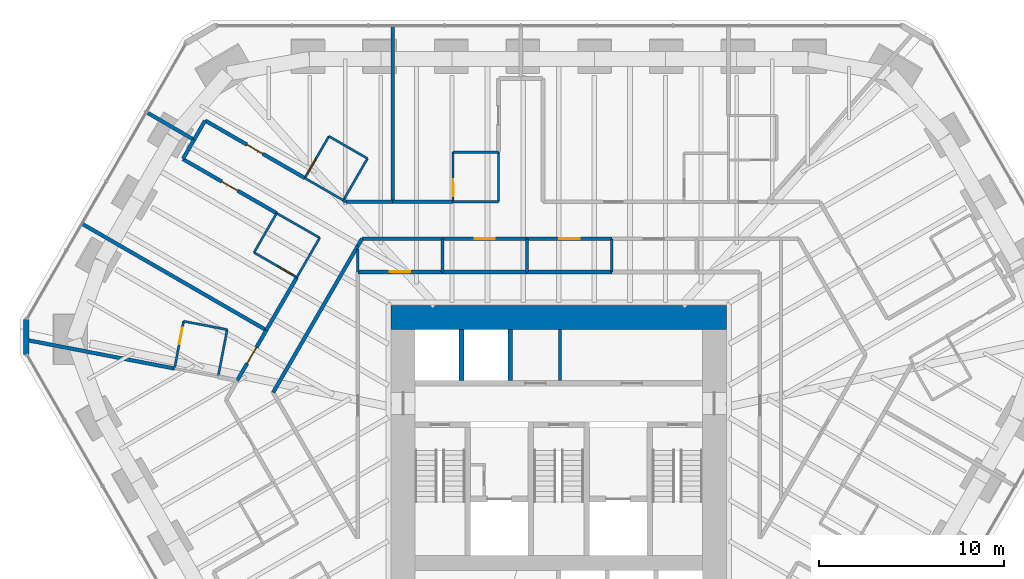
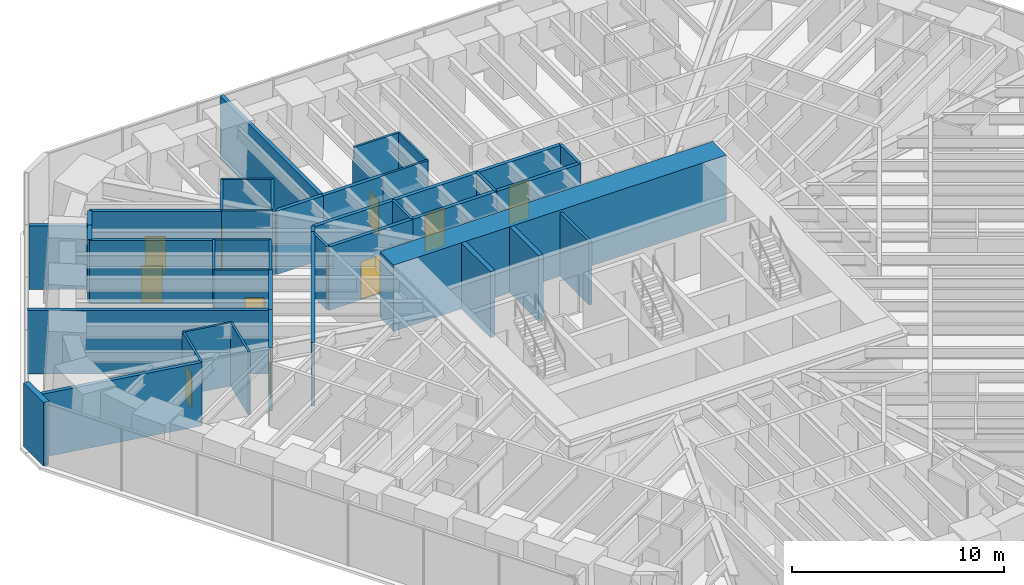
# One storey, part 14 of 18: 45 walls, 10 doors, 10 openings.
"""IFC4 building model written with IfcOpenShell, lengths in metres."""

from ifc_helpers import new_model, si_unit, direction, frame, frame_2d, origin, place, context, subcontext, project, spatial, rectangle, extrude, material, layer, layer_set, type_object, element, fill, save


model = new_model("IFC4")

# Units and contexts
model_context = context("Model", 3, precision=1e-05, world=origin(), true_north=direction((0.0, 1.0)))
body_context = subcontext(model_context, "Body", "Model", "MODEL_VIEW")
ifc_project = project(units=[si_unit("LENGTHUNIT", "METRE"), si_unit("AREAUNIT", "SQUARE_METRE"), si_unit("VOLUMEUNIT", "CUBIC_METRE"), si_unit("PLANEANGLEUNIT", "RADIAN"), si_unit("MASSUNIT", "GRAM", prefix="KILO")], contexts=[model_context])

# Site, building, storey
site_placement = place(None, origin())
site = spatial("IfcSite", under=ifc_project, at=site_placement, CompositionType="ELEMENT")
building_placement = place(site_placement, origin())
building = spatial("IfcBuilding", under=site, at=building_placement, Name="Sandreach Pilgrim Tower", CompositionType="ELEMENT")
storey_placement = place(building_placement, frame((0.0, 0.0, 157.60009765625)))
storey = spatial("IfcBuildingStorey", under=building, at=storey_placement, Name="L39", CompositionType="ELEMENT", Elevation=157.60009765625)

# Walls
ifc_material_1 = material(Name="Gypsum board on steel studs", Category="steel")
ifc_layer_1 = layer(ifc_material_1, 0.14990234375)
ifc_layer_set_1 = layer_set([ifc_layer_1], Name="Back of house wall 150")
wall_type_1 = type_object("IfcWallType", Name="Back of house wall 150", PredefinedType="PARTITIONING", material=ifc_layer_set_1)
wall_1_placement = place(storey_placement, frame((-10.840087890625, 10.449951171875, 0.0), z_axis=(0.0, 0.0, 1.0), x_axis=(0.0, -1.0, 0.0)))
element("IfcWall", 1, at=wall_1_placement, inside=storey, type_object=wall_type_1, Name="Back of house wall L39-043", PredefinedType="PARTITIONING", context=body_context, shape_type="SweptSolid", body=[
    extrude(rectangle(XDim=1.25, YDim=0.14990234375, at=frame_2d((0.625, 0.0))), origin(), (0.0, 0.0, 1.0), 3.639892578125),
])
for number, where, z_axis, x_axis, name in (
    (2, (-6.27001953125, 10.989990234375, 0.0), (0.0, 0.0, 1.0), (0.0, -1.0, 0.0), "Back of house wall L39-054"),
    (3, (-1.7099609375, 10.989990234375, 0.0), (0.0, 0.0, 1.0), (0.0, -1.0, 0.0), "Back of house wall L39-075"),
    (4, (2.860107421875, 10.989990234375, 0.0), (0.0, 0.0, 1.0), (0.0, -1.0, 0.0), "Back of house wall L39-085"),
):
    element("IfcWall", number, at=place(storey_placement, frame(where, z_axis=z_axis, x_axis=x_axis)), inside=storey, type_object=wall_type_1, Name=name, PredefinedType="PARTITIONING", context=body_context, shape_type="SweptSolid", body=[
        extrude(rectangle(XDim=1.7900390625, YDim=0.14990234375, at=frame_2d((0.89501953125, 0.0))), origin(), (0.0, 0.0, 1.0), 3.639892578125),
    ])
wall_2_placement = place(storey_placement, frame((0.0625, 3.35009765625, 0.0), z_axis=(0.0, 0.0, 1.0), x_axis=(0.0, 1.0, 0.0)))
element("IfcWall", 5, at=wall_2_placement, inside=storey, type_object=wall_type_1, Name="Core room partition L39 1", PredefinedType="PARTITIONING", context=body_context, shape_type="SweptSolid", body=[
    extrude(rectangle(XDim=2.75, YDim=0.14990234375, at=frame_2d((1.375, 0.0))), origin(), (0.0, 0.0, 1.0), 3.639892578125),
])

# Wall, opening, door
ifc_material_2 = material(Name="Moisture-resistant gypsum board on steel studs", Category="steel")
ifc_layer_2 = layer(ifc_material_2, 0.1201171875)
ifc_layer_set_2 = layer_set([ifc_layer_2], Name="Bathroom partition 120")
wall_type_2 = type_object("IfcWallType", Name="Bathroom partition 120", PredefinedType="PARTITIONING", material=ifc_layer_set_2)
wall_3_placement = place(storey_placement, frame((-20.239990234375, 6.5400390625, 0.0), z_axis=(0.0, 0.0, 1.0), x_axis=(-0.188697442844, -0.982035271802, 0.0)))
wall_3 = element("IfcWall", 6, at=wall_3_placement, inside=storey, type_object=wall_type_2, Name="Bathroom partition L39-006", PredefinedType="PARTITIONING", context=body_context, shape_type="SweptSolid", body=[
    extrude(rectangle(XDim=2.5966796875, YDim=0.1201171875, at=frame_2d((1.29833984375, 0.0))), origin(), (0.0, 0.0, 1.0), 3.639892578125),
])
opening_1_placement = place(wall_3_placement, frame((0.35009765625, 0.0, 0.0)))
opening_1 = element("IfcOpeningElement", 7, at=opening_1_placement, cuts=wall_3, Name="Opening D09-14B", PredefinedType="OPENING", context=body_context, shape_type="SweptSolid", body=[
    extrude(rectangle(XDim=0.89990234375, YDim=2.030029296875, at=frame_2d((0.449951171875, 1.01513671875))), frame((0.0, 0.06005859375, 0.0), z_axis=(0.0, -1.0, 0.0), x_axis=(1.0, 0.0, 0.0)), (0.0, 0.0, 1.0), 0.1201171875),
])
ifc_material_3 = material(Name="Timber door, steel frame", Category="steel")
door_type_1 = type_object("IfcDoorType", Name="Bathroom door", OperationType="SINGLE_SWING_LEFT", PredefinedType="DOOR", material=ifc_material_3)
door_1_placement = place(opening_1_placement, origin())
door_1 = element("IfcDoor", 8, at=door_1_placement, inside=storey, type_object=door_type_1, Name="Door 3914B", OperationType="SINGLE_SWING_LEFT", OverallHeight=2.030029296875, OverallWidth=0.89990234375, PredefinedType="DOOR", context=body_context, shape_type="SweptSolid", body=[
    extrude(rectangle(XDim=0.89990234375, YDim=2.030029296875, at=frame_2d((0.449951171875, 1.01513671875))), frame((0.0, 0.02490234375, 0.0), z_axis=(0.0, -1.0, 0.0), x_axis=(1.0, 0.0, 0.0)), (0.0, 0.0, 1.0), 0.050048828125),
])
fill(opening_1, door_1)

# Walls
wall_4_placement = place(storey_placement, frame((-18.3798828125, 3.5400390625, 0.0), z_axis=(0.0, 0.0, 1.0), x_axis=(0.188697442844, 0.982035271802, 0.0)))
element("IfcWall", 9, at=wall_4_placement, inside=storey, type_object=wall_type_2, Name="Bathroom partition L39-014", PredefinedType="PARTITIONING", context=body_context, shape_type="SweptSolid", body=[
    extrude(rectangle(XDim=2.5966796875, YDim=0.1201171875, at=frame_2d((1.29833984375, 0.0))), origin(), (0.0, 0.0, 1.0), 3.639892578125),
])
wall_5_placement = place(storey_placement, frame((-17.889892578125, 6.090087890625, 0.0), z_axis=(0.0, 0.0, 1.0), x_axis=(-0.982160404505, 0.18804504732, 0.0)))
element("IfcWall", 10, at=wall_5_placement, inside=storey, type_object=wall_type_2, Name="Bathroom partition L39-018", PredefinedType="PARTITIONING", context=body_context, shape_type="SweptSolid", body=[
    extrude(rectangle(XDim=2.392822265625, YDim=0.1201171875, at=frame_2d((1.1962890625, 0.0))), origin(), (0.0, 0.0, 1.0), 3.639892578125),
])

# Wall, opening, door
wall_6_placement = place(storey_placement, frame((-16.43994140625, 10.25, 0.0), z_axis=(0.0, 0.0, 1.0), x_axis=(0.864966903181, -0.501828911485, 0.0)))
wall_6 = element("IfcWall", 11, at=wall_6_placement, inside=storey, type_object=wall_type_2, Name="Bathroom partition L39-022", PredefinedType="PARTITIONING", context=body_context, shape_type="SweptSolid", body=[
    extrude(rectangle(XDim=2.67041015625, YDim=0.1201171875, at=frame_2d((1.335205078125, 0.0))), origin(), (0.0, 0.0, 1.0), 3.639892578125),
])
opening_2_placement = place(wall_6_placement, frame((1.470458984375, 0.0, 0.0)))
opening_2 = element("IfcOpeningElement", 12, at=opening_2_placement, cuts=wall_6, Name="Opening D09-15B", PredefinedType="OPENING", context=body_context, shape_type="SweptSolid", body=[
    extrude(rectangle(XDim=0.89990234375, YDim=2.030029296875, at=frame_2d((0.449951171875, 1.01513671875))), frame((0.0, 0.06005859375, 0.0), z_axis=(0.0, -1.0, 0.0), x_axis=(1.0, 0.0, 0.0)), (0.0, 0.0, 1.0), 0.1201171875),
])
door_2_placement = place(opening_2_placement, origin())
door_2 = element("IfcDoor", 13, at=door_2_placement, inside=storey, type_object=door_type_1, Name="Door 3915B", OperationType="SINGLE_SWING_RIGHT", OverallHeight=2.030029296875, OverallWidth=0.89990234375, PredefinedType="DOOR", context=body_context, shape_type="SweptSolid", body=[
    extrude(rectangle(XDim=0.89990234375, YDim=2.030029296875, at=frame_2d((0.449951171875, 1.01513671875))), frame((0.0, 0.02490234375, 0.0), z_axis=(0.0, -1.0, 0.0), x_axis=(1.0, 0.0, 0.0)), (0.0, 0.0, 1.0), 0.050048828125),
])
fill(opening_2, door_2)

# Walls
wall_7_placement = place(storey_placement, frame((-15.219970703125, 12.3701171875, 0.0), z_axis=(0.0, 0.0, 1.0), x_axis=(-0.498748634132, -0.866746675766, 0.0)))
element("IfcWall", 14, at=wall_7_placement, inside=storey, type_object=wall_type_2, Name="Bathroom partition L39-028", PredefinedType="PARTITIONING", context=body_context, shape_type="SweptSolid", body=[
    extrude(rectangle(XDim=2.446044921875, YDim=0.1201171875, at=frame_2d((1.22314453125, 0.0))), origin(), (0.0, 0.0, 1.0), 3.639892578125),
])
wall_8_placement = place(storey_placement, frame((-15.219970703125, 12.3701171875, 0.0), z_axis=(0.0, 0.0, 1.0), x_axis=(0.867545659855, -0.497357545501, 0.0)))
element("IfcWall", 15, at=wall_8_placement, inside=storey, type_object=wall_type_2, Name="Bathroom partition L39-029", PredefinedType="PARTITIONING", context=body_context, shape_type="SweptSolid", body=[
    extrude(rectangle(XDim=2.67431640625, YDim=0.1201171875, at=frame_2d((1.337158203125, 0.0))), origin(), (0.0, 0.0, 1.0), 3.639892578125),
])
wall_9_placement = place(storey_placement, frame((-14.1298828125, 8.909912109375, 0.0), z_axis=(0.0, 0.0, 1.0), x_axis=(0.500046071023, 0.865998803033, 0.0)))
element("IfcWall", 16, at=wall_9_placement, inside=storey, type_object=wall_type_2, Name="Bathroom partition L39-033", PredefinedType="PARTITIONING", context=body_context, shape_type="SweptSolid", body=[
    extrude(rectangle(XDim=2.459716796875, YDim=0.1201171875, at=frame_2d((1.22998046875, 0.0))), origin(), (0.0, 0.0, 1.0), 3.639892578125),
])
wall_10_placement = place(storey_placement, frame((-13.7021484375, 14.2666015625, 0.0), z_axis=(0.0, 0.0, 1.0), x_axis=(0.866114496623, -0.499845654917, 0.0)))
element("IfcWall", 17, at=wall_10_placement, inside=storey, type_object=wall_type_2, Name="Bathroom partition L39-034", PredefinedType="PARTITIONING", context=body_context, shape_type="SweptSolid", body=[
    extrude(rectangle(XDim=2.401611328125, YDim=0.1201171875, at=frame_2d((1.20068359375, 0.0))), origin(), (0.0, 0.0, 1.0), 3.639892578125),
])

# Wall, opening, door
wall_11_placement = place(storey_placement, frame((-12.39990234375, 16.52001953125, 0.0), z_axis=(0.0, 0.0, 1.0), x_axis=(-0.500291685314, -0.865856933682, 0.0)))
wall_11 = element("IfcWall", 18, at=wall_11_placement, inside=storey, type_object=wall_type_2, Name="Bathroom partition L39-037", PredefinedType="PARTITIONING", context=body_context, shape_type="SweptSolid", body=[
    extrude(rectangle(XDim=2.5986328125, YDim=0.1201171875, at=frame_2d((1.29931640625, 0.0))), origin(), (0.0, 0.0, 1.0), 3.639892578125),
])
opening_3_placement = place(wall_11_placement, frame((1.398681640625, 0.0, 0.0)))
opening_3 = element("IfcOpeningElement", 19, at=opening_3_placement, cuts=wall_11, Name="Opening D09-01B", PredefinedType="OPENING", context=body_context, shape_type="SweptSolid", body=[
    extrude(rectangle(XDim=0.89990234375, YDim=2.030029296875, at=frame_2d((0.449951171875, 1.01513671875))), frame((0.0, 0.06005859375, 0.0), z_axis=(0.0, -1.0, 0.0), x_axis=(1.0, 0.0, 0.0)), (0.0, 0.0, 1.0), 0.1201171875),
])
door_3_placement = place(opening_3_placement, origin())
door_3 = element("IfcDoor", 20, at=door_3_placement, inside=storey, type_object=door_type_1, Name="Door 3901B", OperationType="SINGLE_SWING_RIGHT", OverallHeight=2.030029296875, OverallWidth=0.89990234375, PredefinedType="DOOR", context=body_context, shape_type="SweptSolid", body=[
    extrude(rectangle(XDim=0.89990234375, YDim=2.030029296875, at=frame_2d((0.449951171875, 1.01513671875))), frame((0.0, 0.02490234375, 0.0), z_axis=(0.0, -1.0, 0.0), x_axis=(1.0, 0.0, 0.0)), (0.0, 0.0, 1.0), 0.050048828125),
])
fill(opening_3, door_3)

# Walls
wall_12_placement = place(storey_placement, frame((-11.6201171875, 13.070068359375, 0.0), z_axis=(0.0, 0.0, 1.0), x_axis=(0.500291685314, 0.865856933682, 0.0)))
element("IfcWall", 21, at=wall_12_placement, inside=storey, type_object=wall_type_2, Name="Bathroom partition L39-040", PredefinedType="PARTITIONING", context=body_context, shape_type="SweptSolid", body=[
    extrude(rectangle(XDim=2.5986328125, YDim=0.1201171875, at=frame_2d((1.29931640625, 0.0))), origin(), (0.0, 0.0, 1.0), 3.639892578125),
])
wall_13_placement = place(storey_placement, frame((-10.320068359375, 15.320068359375, 0.0), z_axis=(0.0, 0.0, 1.0), x_axis=(-0.866177122335, 0.499737123639, 0.0)))
element("IfcWall", 22, at=wall_13_placement, inside=storey, type_object=wall_type_2, Name="Bathroom partition L39-046", PredefinedType="PARTITIONING", context=body_context, shape_type="SweptSolid", body=[
    extrude(rectangle(XDim=2.401123046875, YDim=0.1201171875, at=frame_2d((1.20068359375, 0.0))), origin(), (0.0, 0.0, 1.0), 3.639892578125),
])

# Wall, opening, door
wall_14_placement = place(storey_placement, frame((-5.7099609375, 15.659912109375, 0.0), z_axis=(0.0, 0.0, 1.0), x_axis=(0.003749059241, -0.999992972253, 0.0)))
wall_14 = element("IfcWall", 23, at=wall_14_placement, inside=storey, type_object=wall_type_2, Name="Bathroom partition L39-057", PredefinedType="PARTITIONING", context=body_context, shape_type="SweptSolid", body=[
    extrude(rectangle(XDim=2.669921875, YDim=0.1201171875, at=frame_2d((1.3349609375, 0.0))), origin(), (0.0, 0.0, 1.0), 3.022705078125),
])
opening_4_placement = place(wall_14_placement, frame((1.469970703125, 0.0, 0.0)))
opening_4 = element("IfcOpeningElement", 24, at=opening_4_placement, cuts=wall_14, Name="Opening D09-02B", PredefinedType="OPENING", context=body_context, shape_type="SweptSolid", body=[
    extrude(rectangle(XDim=0.89990234375, YDim=2.030029296875, at=frame_2d((0.449951171875, 1.01513671875))), frame((0.0, 0.06005859375, 0.0), z_axis=(0.0, -1.0, 0.0), x_axis=(1.0, 0.0, 0.0)), (0.0, 0.0, 1.0), 0.1201171875),
])
door_4_placement = place(opening_4_placement, origin())
door_4 = element("IfcDoor", 25, at=door_4_placement, inside=storey, type_object=door_type_1, Name="Door 3902B", OperationType="SINGLE_SWING_RIGHT", OverallHeight=2.030029296875, OverallWidth=0.89990234375, PredefinedType="DOOR", context=body_context, shape_type="SweptSolid", body=[
    extrude(rectangle(XDim=0.89990234375, YDim=2.030029296875, at=frame_2d((0.449951171875, 1.01513671875))), frame((0.0, 0.02490234375, 0.0), z_axis=(0.0, -1.0, 0.0), x_axis=(1.0, 0.0, 0.0)), (0.0, 0.0, 1.0), 0.050048828125),
])
fill(opening_4, door_4)

# Walls
wall_15_placement = place(storey_placement, frame((-3.25, 12.989990234375, 0.0), z_axis=(0.0, 0.0, 1.0), x_axis=(-1.0, 0.0, 0.0)))
element("IfcWall", 26, at=wall_15_placement, inside=storey, type_object=wall_type_2, Name="Bathroom partition L39-066", PredefinedType="PARTITIONING", context=body_context, shape_type="SweptSolid", body=[
    extrude(rectangle(XDim=2.449951171875, YDim=0.1201171875, at=frame_2d((1.22509765625, 0.0))), origin(), (0.0, 0.0, 1.0), 3.639892578125),
])
wall_16_placement = place(storey_placement, frame((-3.25, 15.659912109375, 0.0), z_axis=(0.0, 0.0, 1.0), x_axis=(-1.0, 0.0, 0.0)))
element("IfcWall", 27, at=wall_16_placement, inside=storey, type_object=wall_type_2, Name="Bathroom partition L39-067", PredefinedType="PARTITIONING", context=body_context, shape_type="SweptSolid", body=[
    extrude(rectangle(XDim=2.4599609375, YDim=0.1201171875, at=frame_2d((1.22998046875, 0.0))), origin(), (0.0, 0.0, 1.0), 3.639892578125),
])
wall_17_placement = place(storey_placement, frame((-3.25, 15.659912109375, 0.0), z_axis=(0.0, 0.0, 1.0), x_axis=(0.0, -1.0, 0.0)))
element("IfcWall", 28, at=wall_17_placement, inside=storey, type_object=wall_type_2, Name="Bathroom partition L39-068", PredefinedType="PARTITIONING", context=body_context, shape_type="SweptSolid", body=[
    extrude(rectangle(XDim=2.669921875, YDim=0.1201171875, at=frame_2d((1.3349609375, 0.0))), origin(), (0.0, 0.0, 1.0), 3.639892578125),
])
ifc_material_4 = material(Name="Concrete 10000 psi", Category="concrete")
ifc_layer_3 = layer(ifc_material_4, 1.300048828125)
ifc_layer_set_3 = layer_set([ifc_layer_3], Name="Core wall 1300")
wall_type_3 = type_object("IfcWallType", Name="Core wall 1300", PredefinedType="SHEAR", material=ifc_layer_set_3)
wall_18_placement = place(storey_placement, frame((-9.050048828125, 6.75, 0.0), z_axis=(0.0, 0.0, 1.0), x_axis=(1.0, 0.0, 0.0)))
element("IfcWall", 29, at=wall_18_placement, inside=storey, type_object=wall_type_3, Name="Core wall N L39", PredefinedType="SHEAR", context=body_context, shape_type="SweptSolid", body=[
    extrude(rectangle(XDim=18.10009765625, YDim=1.300048828125, at=frame_2d((9.050048828125, 0.0))), origin(), (0.0, 0.0, 1.0), 3.7998046875),
])

# Wall, opening, door
ifc_material_5 = material(Name="Gypsum board on steel studs, two layers each side", Category="steel")
ifc_layer_4 = layer(ifc_material_5, 0.199951171875)
ifc_layer_set_4 = layer_set([ifc_layer_4], Name="Corridor wall 200")
wall_type_4 = type_object("IfcWallType", Name="Corridor wall 200", PredefinedType="PARTITIONING", material=ifc_layer_set_4)
wall_19_placement = place(storey_placement, frame((-20.280029296875, 15.2900390625, 0.0), z_axis=(0.0, 0.0, 1.0), x_axis=(0.866118790123, -0.499838215221, 0.0)))
wall_19 = element("IfcWall", 30, at=wall_19_placement, inside=storey, type_object=wall_type_4, Name="Corridor wall L39-005", PredefinedType="PARTITIONING", context=body_context, shape_type="SweptSolid", body=[
    extrude(rectangle(XDim=5.84228515625, YDim=0.199951171875, at=frame_2d((2.921142578125, 0.0))), origin(), (0.0, 0.0, 1.0), 3.639892578125),
])
opening_5_placement = place(wall_19_placement, frame((2.4208984375, 0.0, 0.0)))
opening_5 = element("IfcOpeningElement", 31, at=opening_5_placement, cuts=wall_19, Name="Opening D10-15", PredefinedType="OPENING", context=body_context, shape_type="SweptSolid", body=[
    extrude(rectangle(XDim=1.0, YDim=2.1298828125, at=frame_2d((0.5, 1.06494140625))), frame((0.0, 0.10009765625, 0.0), z_axis=(0.0, -1.0, 0.0), x_axis=(1.0, 0.0, 0.0)), (0.0, 0.0, 1.0), 0.199951171875),
])
ifc_material_6 = material(Name="Steel door and frame", Category="steel")
door_type_2 = type_object("IfcDoorType", Name="Guest room entry door", OperationType="SINGLE_SWING_LEFT", PredefinedType="DOOR", material=ifc_material_6)
door_5_placement = place(opening_5_placement, origin())
door_5 = element("IfcDoor", 32, at=door_5_placement, inside=storey, type_object=door_type_2, Name="Door 3915", OperationType="SINGLE_SWING_LEFT", OverallHeight=2.1298828125, OverallWidth=1.0, PredefinedType="DOOR", context=body_context, shape_type="SweptSolid", body=[
    extrude(rectangle(XDim=1.0, YDim=2.1298828125, at=frame_2d((0.5, 1.06494140625))), frame((0.0, 0.02490234375, 0.0), z_axis=(0.0, -1.0, 0.0), x_axis=(1.0, 0.0, 0.0)), (0.0, 0.0, 1.0), 0.050048828125),
])
fill(opening_5, door_5)

# Walls
wall_20_placement = place(storey_placement, frame((-19.679931640625, 16.330078125, 0.0), z_axis=(0.0, 0.0, 1.0), x_axis=(-0.499704629046, -0.866195869137, 0.0)))
element("IfcWall", 33, at=wall_20_placement, inside=storey, type_object=wall_type_4, Name="Corridor wall L39-008", PredefinedType="PARTITIONING", context=body_context, shape_type="SweptSolid", body=[
    extrude(rectangle(XDim=1.185791015625, YDim=0.199951171875, at=frame_2d((0.5927734375, 0.0))), origin(), (0.0, 0.0, 1.0), 3.639892578125),
])
wall_21_placement = place(storey_placement, frame((-19.08740234375, 17.35693359375, 0.0), z_axis=(0.0, 0.0, 1.0), x_axis=(-0.499793761865, -0.866144442689, 0.0)))
element("IfcWall", 34, at=wall_21_placement, inside=storey, type_object=wall_type_4, Name="Corridor wall L39-009", PredefinedType="PARTITIONING", context=body_context, shape_type="SweptSolid", body=[
    extrude(rectangle(XDim=1.185546875, YDim=0.199951171875, at=frame_2d((0.5927734375, 0.0))), origin(), (0.0, 0.0, 1.0), 3.639892578125),
])

# Wall, opening, door
wall_22_placement = place(storey_placement, frame((-19.080078125, 17.3701171875, 0.0), z_axis=(0.0, 0.0, 1.0), x_axis=(0.866125357092, -0.499826835816, 0.0)))
wall_22 = element("IfcWall", 35, at=wall_22_placement, inside=storey, type_object=wall_type_4, Name="Corridor wall L39-010", PredefinedType="PARTITIONING", context=body_context, shape_type="SweptSolid", body=[
    extrude(rectangle(XDim=6.209228515625, YDim=0.199951171875, at=frame_2d((3.1044921875, 0.0))), origin(), (0.0, 0.0, 1.0), 3.639892578125),
])
opening_6_placement = place(wall_22_placement, frame((2.6044921875, 0.0, 0.0)))
opening_6 = element("IfcOpeningElement", 36, at=opening_6_placement, cuts=wall_22, Name="Opening D10-01", PredefinedType="OPENING", context=body_context, shape_type="SweptSolid", body=[
    extrude(rectangle(XDim=1.0, YDim=2.1298828125, at=frame_2d((0.5, 1.06494140625))), frame((0.0, 0.10009765625, 0.0), z_axis=(0.0, -1.0, 0.0), x_axis=(1.0, 0.0, 0.0)), (0.0, 0.0, 1.0), 0.199951171875),
])
door_6_placement = place(opening_6_placement, origin())
door_6 = element("IfcDoor", 37, at=door_6_placement, inside=storey, type_object=door_type_2, Name="Door 3901", OperationType="SINGLE_SWING_LEFT", OverallHeight=2.1298828125, OverallWidth=1.0, PredefinedType="DOOR", context=body_context, shape_type="SweptSolid", body=[
    extrude(rectangle(XDim=1.0, YDim=2.1298828125, at=frame_2d((0.5, 1.06494140625))), frame((0.0, 0.02490234375, 0.0), z_axis=(0.0, -1.0, 0.0), x_axis=(1.0, 0.0, 0.0)), (0.0, 0.0, 1.0), 0.050048828125),
])
fill(opening_6, door_6)

wall_23_placement = place(storey_placement, frame((-17.3486328125, 3.33935546875, 0.0), z_axis=(0.0, 0.0, 1.0), x_axis=(0.500803353914, 0.865561090108, 0.0)))
wall_23 = element("IfcWall", 38, at=wall_23_placement, inside=storey, type_object=wall_type_4, Name="Corridor wall L39-020", PredefinedType="PARTITIONING", context=body_context, shape_type="SweptSolid", body=[
    extrude(rectangle(XDim=3.140380859375, YDim=0.199951171875, at=frame_2d((1.5703125, 0.0))), origin(), (0.0, 0.0, 1.0), 3.639892578125),
])
opening_7_placement = place(wall_23_placement, frame((1.0703125, 0.0, 0.0)))
opening_7 = element("IfcOpeningElement", 39, at=opening_7_placement, cuts=wall_23, Name="Opening D10-14", PredefinedType="OPENING", context=body_context, shape_type="SweptSolid", body=[
    extrude(rectangle(XDim=1.0, YDim=2.1298828125, at=frame_2d((0.5, 1.06494140625))), frame((0.0, 0.10009765625, 0.0), z_axis=(0.0, -1.0, 0.0), x_axis=(1.0, 0.0, 0.0)), (0.0, 0.0, 1.0), 0.199951171875),
])
door_7_placement = place(opening_7_placement, origin())
door_7 = element("IfcDoor", 40, at=door_7_placement, inside=storey, type_object=door_type_2, Name="Door 3914", OperationType="SINGLE_SWING_LEFT", OverallHeight=2.1298828125, OverallWidth=1.0, PredefinedType="DOOR", context=body_context, shape_type="SweptSolid", body=[
    extrude(rectangle(XDim=1.0, YDim=2.1298828125, at=frame_2d((0.5, 1.06494140625))), frame((0.0, 0.02490234375, 0.0), z_axis=(0.0, -1.0, 0.0), x_axis=(1.0, 0.0, 0.0)), (0.0, 0.0, 1.0), 0.050048828125),
])
fill(opening_7, door_7)

# Walls
wall_24_placement = place(storey_placement, frame((-15.780029296875, 6.06005859375, 0.0), z_axis=(0.0, 0.0, 1.0), x_axis=(0.501088872721, 0.865395829453, 0.0)))
element("IfcWall", 41, at=wall_24_placement, inside=storey, type_object=wall_type_4, Name="Corridor wall L39-024", PredefinedType="PARTITIONING", context=body_context, shape_type="SweptSolid", body=[
    extrude(rectangle(XDim=3.293212890625, YDim=0.199951171875, at=frame_2d((1.646484375, 0.0))), origin(), (0.0, 0.0, 1.0), 3.639892578125),
])
wall_25_placement = place(storey_placement, frame((-15.409912109375, 2.699951171875, 0.0), z_axis=(0.0, 0.0, 1.0), x_axis=(0.500237524763, 0.865888225361, 0.0)))
element("IfcWall", 42, at=wall_25_placement, inside=storey, type_object=wall_type_4, Name="Corridor wall L39-025", PredefinedType="PARTITIONING", context=body_context, shape_type="SweptSolid", body=[
    extrude(rectangle(XDim=9.13525390625, YDim=0.199951171875, at=frame_2d((4.567626953125, 0.0))), origin(), (0.0, 0.0, 1.0), 3.639892578125),
])
wall_26_placement = place(storey_placement, frame((-11.6220703125, 13.066162109375, 0.0), z_axis=(0.0, 0.0, 1.0), x_axis=(0.866265547609, -0.499583827826, 0.0)))
element("IfcWall", 43, at=wall_26_placement, inside=storey, type_object=wall_type_4, Name="Corridor wall L39-039", PredefinedType="PARTITIONING", context=body_context, shape_type="SweptSolid", body=[
    extrude(rectangle(XDim=0.152587890625, YDim=0.199951171875, at=frame_2d((0.076171875, 0.0))), origin(), (0.0, 0.0, 1.0), 3.639892578125),
])
wall_27_placement = place(storey_placement, frame((-10.840087890625, 10.610107421875, 0.0), z_axis=(0.0, 0.0, 1.0), x_axis=(0.501518373175, 0.865146994081, 0.0)))
element("IfcWall", 44, at=wall_27_placement, inside=storey, type_object=wall_type_4, Name="Corridor wall L39-044", PredefinedType="PARTITIONING", context=body_context, shape_type="SweptSolid", body=[
    extrude(rectangle(XDim=0.439208984375, YDim=0.199951171875, at=frame_2d((0.2197265625, 0.0))), origin(), (0.0, 0.0, 1.0), 3.639892578125),
])
wall_28_placement = place(storey_placement, frame((-10.6201171875, 10.989990234375, 0.0), z_axis=(0.0, 0.0, 1.0), x_axis=(1.0, 0.0, 0.0)))
element("IfcWall", 45, at=wall_28_placement, inside=storey, type_object=wall_type_4, Name="Corridor wall L39-045", PredefinedType="PARTITIONING", context=body_context, shape_type="SweptSolid", body=[
    extrude(rectangle(XDim=4.35009765625, YDim=0.199951171875, at=frame_2d((2.175048828125, 0.0))), origin(), (0.0, 0.0, 1.0), 3.639892578125),
])
wall_29_placement = place(storey_placement, frame((-8.9599609375, 12.989990234375, 0.0), z_axis=(0.0, 0.0, 1.0), x_axis=(-1.0, 0.0, 0.0)))
element("IfcWall", 46, at=wall_29_placement, inside=storey, type_object=wall_type_4, Name="Corridor wall L39-049", PredefinedType="PARTITIONING", context=body_context, shape_type="SweptSolid", body=[
    extrude(rectangle(XDim=2.530029296875, YDim=0.199951171875, at=frame_2d((1.26513671875, 0.0))), origin(), (0.0, 0.0, 1.0), 3.639892578125),
])

# Wall, opening, door
wall_30_placement = place(storey_placement, frame((-6.27001953125, 9.199951171875, 0.0), z_axis=(0.0, 0.0, 1.0), x_axis=(-1.0, 0.0, 0.0)))
wall_30 = element("IfcWall", 47, at=wall_30_placement, inside=storey, type_object=wall_type_4, Name="Corridor wall L39-053", PredefinedType="PARTITIONING", context=body_context, shape_type="SweptSolid", body=[
    extrude(rectangle(XDim=4.570068359375, YDim=0.199951171875, at=frame_2d((2.28515625, 0.0))), origin(), (0.0, 0.0, 1.0), 3.639892578125),
])
opening_8_placement = place(wall_30_placement, frame((1.735107421875, 0.0, 0.0)))
opening_8 = element("IfcOpeningElement", 48, at=opening_8_placement, cuts=wall_30, Name="Opening D11H-M02", PredefinedType="OPENING", context=body_context, shape_type="SweptSolid", body=[
    extrude(rectangle(XDim=1.10009765625, YDim=2.199951171875, at=frame_2d((0.550048828125, 1.10009765625))), frame((0.0, 0.10009765625, 0.0), z_axis=(0.0, -1.0, 0.0), x_axis=(1.0, 0.0, 0.0)), (0.0, 0.0, 1.0), 0.199951171875),
])
ifc_material_7 = material(Name="Steel door and frame", Category="steel")
door_type_3 = type_object("IfcDoorType", Name="Back of house door", OperationType="SINGLE_SWING_LEFT", PredefinedType="DOOR", material=ifc_material_7)
door_8_placement = place(opening_8_placement, origin())
door_8 = element("IfcDoor", 49, at=door_8_placement, inside=storey, type_object=door_type_3, Name="Door 39M02", OperationType="SINGLE_SWING_LEFT", OverallHeight=2.199951171875, OverallWidth=1.10009765625, PredefinedType="DOOR", context=body_context, shape_type="SweptSolid", body=[
    extrude(rectangle(XDim=1.10009765625, YDim=2.199951171875, at=frame_2d((0.550048828125, 1.10009765625))), frame((0.0, 0.02490234375, 0.0), z_axis=(0.0, -1.0, 0.0), x_axis=(1.0, 0.0, 0.0)), (0.0, 0.0, 1.0), 0.050048828125),
])
fill(opening_8, door_8)

wall_31_placement = place(storey_placement, frame((-6.27001953125, 10.989990234375, 0.0), z_axis=(0.0, 0.0, 1.0), x_axis=(1.0, 0.0, 0.0)))
wall_31 = element("IfcWall", 50, at=wall_31_placement, inside=storey, type_object=wall_type_4, Name="Corridor wall L39-055", PredefinedType="PARTITIONING", context=body_context, shape_type="SweptSolid", body=[
    extrude(rectangle(XDim=4.56005859375, YDim=0.199951171875, at=frame_2d((2.280029296875, 0.0))), origin(), (0.0, 0.0, 1.0), 3.639892578125),
])
opening_9_placement = place(wall_31_placement, frame((1.72998046875, 0.0, 0.0)))
opening_9 = element("IfcOpeningElement", 51, at=opening_9_placement, cuts=wall_31, Name="Opening D11H-M03", PredefinedType="OPENING", context=body_context, shape_type="SweptSolid", body=[
    extrude(rectangle(XDim=1.10009765625, YDim=2.199951171875, at=frame_2d((0.550048828125, 1.10009765625))), frame((0.0, 0.10009765625, 0.0), z_axis=(0.0, -1.0, 0.0), x_axis=(1.0, 0.0, 0.0)), (0.0, 0.0, 1.0), 0.199951171875),
])
door_9_placement = place(opening_9_placement, origin())
door_9 = element("IfcDoor", 52, at=door_9_placement, inside=storey, type_object=door_type_3, Name="Door 39M03", OperationType="SINGLE_SWING_LEFT", OverallHeight=2.199951171875, OverallWidth=1.10009765625, PredefinedType="DOOR", context=body_context, shape_type="SweptSolid", body=[
    extrude(rectangle(XDim=1.10009765625, YDim=2.199951171875, at=frame_2d((0.550048828125, 1.10009765625))), frame((0.0, 0.02490234375, 0.0), z_axis=(0.0, -1.0, 0.0), x_axis=(1.0, 0.0, 0.0)), (0.0, 0.0, 1.0), 0.050048828125),
])
fill(opening_9, door_9)

# Walls
wall_32_placement = place(storey_placement, frame((-5.699951171875, 12.989990234375, 0.0), z_axis=(0.0, 0.0, 1.0), x_axis=(-1.0, 0.0, 0.0)))
element("IfcWall", 53, at=wall_32_placement, inside=storey, type_object=wall_type_4, Name="Corridor wall L39-058", PredefinedType="PARTITIONING", context=body_context, shape_type="SweptSolid", body=[
    extrude(rectangle(XDim=3.260009765625, YDim=0.199951171875, at=frame_2d((1.6298828125, 0.0))), origin(), (0.0, 0.0, 1.0), 3.639892578125),
])
wall_33_placement = place(storey_placement, frame((-1.7099609375, 9.199951171875, 0.0), z_axis=(0.0, 0.0, 1.0), x_axis=(-1.0, 0.0, 0.0)))
element("IfcWall", 54, at=wall_33_placement, inside=storey, type_object=wall_type_4, Name="Corridor wall L39-074", PredefinedType="PARTITIONING", context=body_context, shape_type="SweptSolid", body=[
    extrude(rectangle(XDim=4.56005859375, YDim=0.199951171875, at=frame_2d((2.280029296875, 0.0))), origin(), (0.0, 0.0, 1.0), 3.639892578125),
])

# Wall, opening, door
wall_34_placement = place(storey_placement, frame((-1.7099609375, 10.989990234375, 0.0), z_axis=(0.0, 0.0, 1.0), x_axis=(1.0, 0.0, 0.0)))
wall_34 = element("IfcWall", 55, at=wall_34_placement, inside=storey, type_object=wall_type_4, Name="Corridor wall L39-076", PredefinedType="PARTITIONING", context=body_context, shape_type="SweptSolid", body=[
    extrude(rectangle(XDim=4.570068359375, YDim=0.199951171875, at=frame_2d((2.28515625, 0.0))), origin(), (0.0, 0.0, 1.0), 3.639892578125),
])
opening_10_placement = place(wall_34_placement, frame((1.735107421875, 0.0, 0.0)))
opening_10 = element("IfcOpeningElement", 56, at=opening_10_placement, cuts=wall_34, Name="Opening D11H-M04", PredefinedType="OPENING", context=body_context, shape_type="SweptSolid", body=[
    extrude(rectangle(XDim=1.10009765625, YDim=2.199951171875, at=frame_2d((0.550048828125, 1.10009765625))), frame((0.0, 0.10009765625, 0.0), z_axis=(0.0, -1.0, 0.0), x_axis=(1.0, 0.0, 0.0)), (0.0, 0.0, 1.0), 0.199951171875),
])
door_10_placement = place(opening_10_placement, origin())
door_10 = element("IfcDoor", 57, at=door_10_placement, inside=storey, type_object=door_type_3, Name="Door 39M04", OperationType="SINGLE_SWING_LEFT", OverallHeight=2.199951171875, OverallWidth=1.10009765625, PredefinedType="DOOR", context=body_context, shape_type="SweptSolid", body=[
    extrude(rectangle(XDim=1.10009765625, YDim=2.199951171875, at=frame_2d((0.550048828125, 1.10009765625))), frame((0.0, 0.02490234375, 0.0), z_axis=(0.0, -1.0, 0.0), x_axis=(1.0, 0.0, 0.0)), (0.0, 0.0, 1.0), 0.050048828125),
])
fill(opening_10, door_10)

# Walls
wall_35_placement = place(storey_placement, frame((2.860107421875, 9.199951171875, 0.0), z_axis=(0.0, 0.0, 1.0), x_axis=(-1.0, 0.0, 0.0)))
element("IfcWall", 58, at=wall_35_placement, inside=storey, type_object=wall_type_4, Name="Corridor wall L39-084", PredefinedType="PARTITIONING", context=body_context, shape_type="SweptSolid", body=[
    extrude(rectangle(XDim=4.570068359375, YDim=0.199951171875, at=frame_2d((2.28515625, 0.0))), origin(), (0.0, 0.0, 1.0), 3.639892578125),
])
ifc_material_8 = material(Name="Double steel stud acoustic wall, gypsum board", Category="steel")
ifc_layer_5 = layer(ifc_material_8, 0.199951171875)
ifc_layer_set_5 = layer_set([ifc_layer_5], Name="Party wall 200")
wall_type_5 = type_object("IfcWallType", Name="Party wall 200", PredefinedType="PARTITIONING", material=ifc_layer_set_5)
wall_36_placement = place(storey_placement, frame((-28.740478515625, 5.534423828125, 0.0), z_axis=(0.0, 0.0, 1.0), x_axis=(0.981916471091, -0.189314668743, 0.0)))
element("IfcWall", 59, at=wall_36_placement, inside=storey, type_object=wall_type_5, Name="Party wall L39-001", PredefinedType="PARTITIONING", context=body_context, shape_type="SweptSolid", body=[
    extrude(rectangle(XDim=8.157958984375, YDim=0.199951171875, at=frame_2d((4.0791015625, 0.0))), origin(), (0.0, 0.0, 1.0), 3.639892578125),
])
wall_37_placement = place(storey_placement, frame((-25.714111328125, 11.794921875, 0.0), z_axis=(0.0, 0.0, 1.0), x_axis=(0.866045467449, -0.499965247104, 0.0)))
element("IfcWall", 60, at=wall_37_placement, inside=storey, type_object=wall_type_5, Name="Party wall L39-002", PredefinedType="PARTITIONING", context=body_context, shape_type="SweptSolid", body=[
    extrude(rectangle(XDim=11.460693359375, YDim=0.199951171875, at=frame_2d((5.73046875, 0.0))), origin(), (0.0, 0.0, 1.0), 3.639892578125),
])
wall_38_placement = place(storey_placement, frame((-19.69287109375, 16.337646484375, 0.0), z_axis=(0.0, 0.0, 1.0), x_axis=(-0.864517576229, 0.502602586933, 0.0)))
element("IfcWall", 61, at=wall_38_placement, inside=storey, type_object=wall_type_5, Name="Party wall L39-007", PredefinedType="PARTITIONING", context=body_context, shape_type="SweptSolid", body=[
    extrude(rectangle(XDim=2.849365234375, YDim=0.199951171875, at=frame_2d((1.4248046875, 0.0))), origin(), (0.0, 0.0, 1.0), 3.639892578125),
])
wall_39_placement = place(storey_placement, frame((-8.9599609375, 22.4599609375, 0.0), z_axis=(0.0, 0.0, 1.0), x_axis=(0.0, -1.0, 0.0)))
element("IfcWall", 62, at=wall_39_placement, inside=storey, type_object=wall_type_5, Name="Party wall L39-050", PredefinedType="PARTITIONING", context=body_context, shape_type="SweptSolid", body=[
    extrude(rectangle(XDim=9.455078125, YDim=0.199951171875, at=frame_2d((4.7275390625, 0.0))), origin(), (0.0, 0.0, 1.0), 3.639892578125),
])
ifc_material_9 = material(Name="Gypsum shaft wall on steel studs, two layers of shaft liner board", Category="steel")
ifc_layer_6 = layer(ifc_material_9, 0.25)
ifc_layer_set_6 = layer_set([ifc_layer_6], Name="Shaft partition 250")
wall_type_6 = type_object("IfcWallType", Name="Shaft partition 250", PredefinedType="PARTITIONING", material=ifc_layer_set_6)
for number, where, z_axis, x_axis, name in (
    (63, (-5.25, 3.35009765625, 0.0), (0.0, 0.0, 1.0), (0.0, 1.0, 0.0), "Shaft partition NS0 L39"),
    (64, (-2.625, 3.35009765625, 0.0), (0.0, 0.0, 1.0), (0.0, 1.0, 0.0), "Shaft partition NS1 L39"),
):
    element("IfcWall", number, at=place(storey_placement, frame(where, z_axis=z_axis, x_axis=x_axis)), inside=storey, type_object=wall_type_6, Name=name, PredefinedType="PARTITIONING", context=body_context, shape_type="SweptSolid", body=[
        extrude(rectangle(XDim=2.75, YDim=0.25, at=frame_2d((1.375, 0.0))), origin(), (0.0, 0.0, 1.0), 3.7998046875),
    ])
ifc_material_10 = material(Name="Terracotta rainscreen on concrete", Category="masonry")
ifc_layer_7 = layer(ifc_material_10, 0.300048828125)
ifc_layer_set_7 = layer_set([ifc_layer_7], Name="Terracotta chamfer pier")
wall_type_7 = type_object("IfcWallType", Name="Terracotta chamfer pier", PredefinedType="SOLIDWALL", material=ifc_layer_set_7)
wall_40_placement = place(storey_placement, frame((-28.720947265625, 4.758544921875, 0.0), z_axis=(0.0, 0.0, 1.0), x_axis=(0.0, 1.0, 0.0)))
element("IfcWall", 65, at=wall_40_placement, inside=storey, type_object=wall_type_7, Name="Chamfer pier L39 SW", PredefinedType="SOLIDWALL", context=body_context, shape_type="SweptSolid", body=[
    extrude(rectangle(XDim=1.8798828125, YDim=0.300048828125, at=frame_2d((0.93994140625, 0.0))), origin(), (0.0, 0.0, 1.0), 3.639892578125),
])

save(model, "model.ifc")
